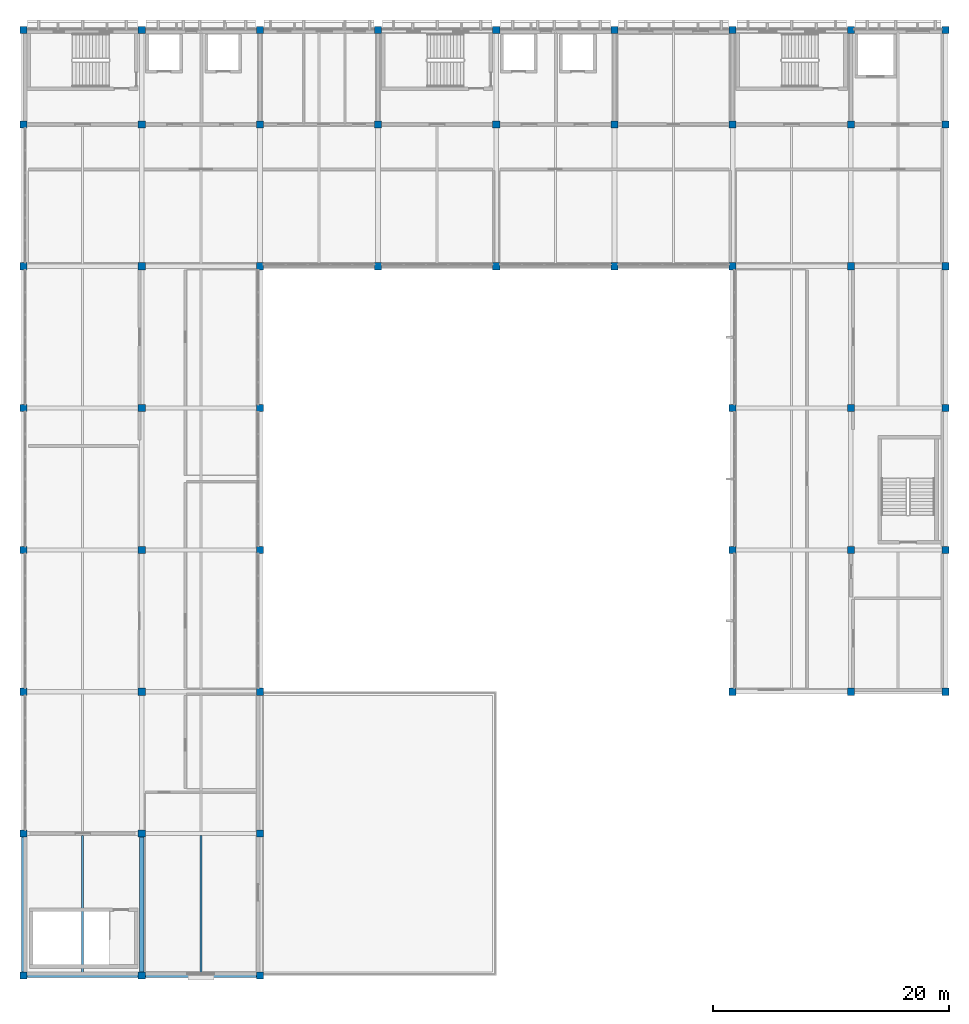
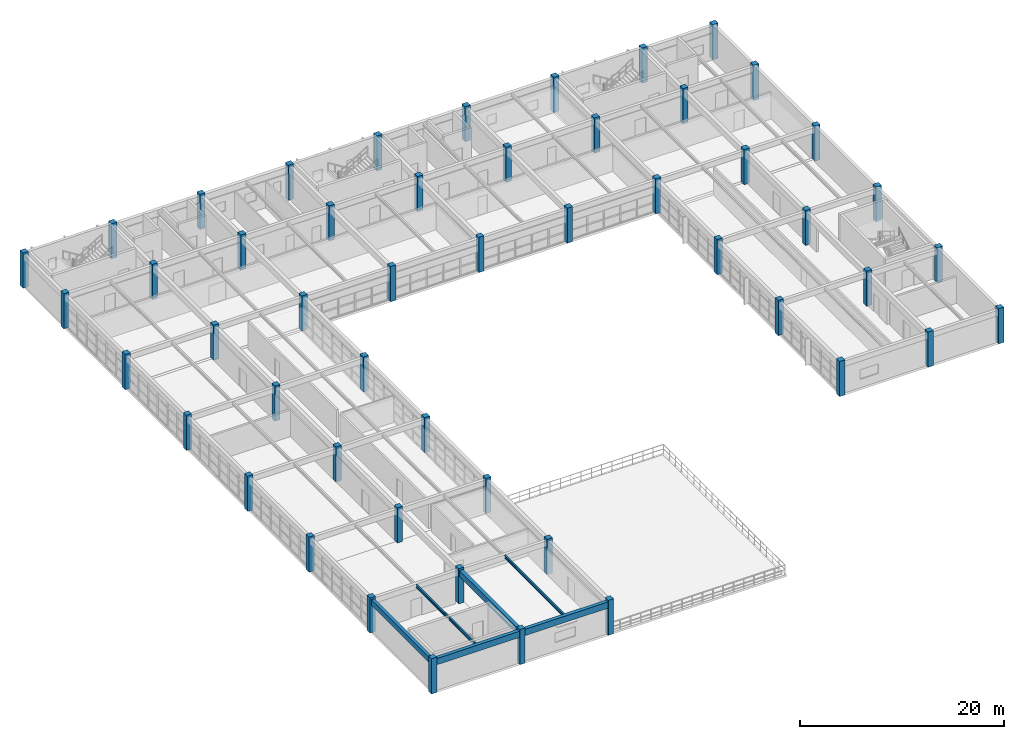
# One storey, part 1 of 28: 51 columns, 6 beams.
"""IFC4 building model written with IfcOpenShell, lengths in metres."""

from ifc_helpers import new_model, si_unit, direction, frame, origin, origin_2d, place, context, subcontext, project, spatial, rectangle, i_section, extrude, material, material_profile, profile_set, type_object, element, save


model = new_model("IFC4")

# Units and contexts
model_context = context("Model", 3, precision=1e-05, world=origin(), true_north=direction((0.0, 1.0)))
body_context = subcontext(model_context, "Body", "Model", "MODEL_VIEW")
ifc_project = project(units=[si_unit("LENGTHUNIT", "METRE"), si_unit("AREAUNIT", "SQUARE_METRE"), si_unit("VOLUMEUNIT", "CUBIC_METRE"), si_unit("PLANEANGLEUNIT", "RADIAN"), si_unit("MASSUNIT", "GRAM", prefix="KILO")], contexts=[model_context])

# Site, building, storey
site_placement = place(None, origin())
site = spatial("IfcSite", under=ifc_project, at=site_placement, CompositionType="ELEMENT")
building_placement = place(site_placement, origin())
building = spatial("IfcBuilding", under=site, at=building_placement, Name="Kivolera Central Railway Station", CompositionType="ELEMENT")
storey_placement = place(building_placement, frame((0.0, 0.0, 18.60009765625)))
storey = spatial("IfcBuildingStorey", under=building, at=storey_placement, Name="L04", CompositionType="ELEMENT", Elevation=18.60009765625)

# Columns
ifc_material_1 = material(Name="Concrete C40/50", Category="concrete")
ifc_material_profile_1 = material_profile(ifc_material_1, rectangle(XDim=0.60009765625, YDim=0.60009765625, at=origin_2d()), Name="RC 600x600")
ifc_profile_set_1 = profile_set([ifc_material_profile_1], Name="Concrete C40/50")
column_type = type_object("IfcColumnType", Name="COL-RC-600", PredefinedType="COLUMN", material=ifc_profile_set_1)
for number, where, z_axis, x_axis, name in (
    (1, (118.0, 54.0, 0.0), (0.0, 0.0, 1.0), (1.0, 0.0, 0.0), "L04 Wing Column 12-E"),
    (2, (118.0, 66.0, 0.0), (0.0, 0.0, 1.0), (1.0, 0.0, 0.0), "L04 Wing Column 12-F"),
    (3, (118.0, 78.0, 0.0), (0.0, 0.0, 1.0), (1.0, 0.0, 0.0), "L04 Wing Column 12-G"),
    (4, (118.0, 90.0, 0.0), (0.0, 0.0, 1.0), (1.0, 0.0, 0.0), "L04 Wing Column 12-H"),
    (5, (118.0, 102.0, 0.0), (0.0, 0.0, 1.0), (1.0, 0.0, 0.0), "L04 Wing Column 12-J"),
    (6, (118.0, 114.0, 0.0), (0.0, 0.0, 1.0), (1.0, 0.0, 0.0), "L04 Wing Column 12-K"),
    (7, (118.0, 126.0, 0.0), (0.0, 0.0, 1.0), (1.0, 0.0, 0.0), "L04 Wing Column 12-L"),
    (8, (118.0, 134.0, 0.0), (0.0, 0.0, 1.0), (1.0, 0.0, 0.0), "L04 Wing Column 12-M"),
    (9, (128.0, 54.0, 0.0), (0.0, 0.0, 1.0), (1.0, 0.0, 0.0), "L04 Wing Column 13-E"),
    (10, (128.0, 66.0, 0.0), (0.0, 0.0, 1.0), (1.0, 0.0, 0.0), "L04 Wing Column 13-F"),
    (11, (128.0, 78.0, 0.0), (0.0, 0.0, 1.0), (1.0, 0.0, 0.0), "L04 Wing Column 13-G"),
    (12, (128.0, 90.0, 0.0), (0.0, 0.0, 1.0), (1.0, 0.0, 0.0), "L04 Wing Column 13-H"),
    (13, (128.0, 102.0, 0.0), (0.0, 0.0, 1.0), (1.0, 0.0, 0.0), "L04 Wing Column 13-J"),
    (14, (128.0, 114.0, 0.0), (0.0, 0.0, 1.0), (1.0, 0.0, 0.0), "L04 Wing Column 13-K"),
    (15, (128.0, 126.0, 0.0), (0.0, 0.0, 1.0), (1.0, 0.0, 0.0), "L04 Wing Column 13-L"),
    (16, (128.0, 134.0, 0.0), (0.0, 0.0, 1.0), (1.0, 0.0, 0.0), "L04 Wing Column 13-M"),
    (17, (138.0, 54.0, 0.0), (0.0, 0.0, 1.0), (1.0, 0.0, 0.0), "L04 Wing Column 14-E"),
    (18, (138.0, 66.0, 0.0), (0.0, 0.0, 1.0), (1.0, 0.0, 0.0), "L04 Wing Column 14-F"),
    (19, (138.0, 78.0, 0.0), (0.0, 0.0, 1.0), (1.0, 0.0, 0.0), "L04 Wing Column 14-G"),
    (20, (138.0, 90.0, 0.0), (0.0, 0.0, 1.0), (1.0, 0.0, 0.0), "L04 Wing Column 14-H"),
    (21, (138.0, 102.0, 0.0), (0.0, 0.0, 1.0), (1.0, 0.0, 0.0), "L04 Wing Column 14-J"),
    (22, (138.0, 114.0, 0.0), (0.0, 0.0, 1.0), (1.0, 0.0, 0.0), "L04 Wing Column 14-K"),
    (23, (138.0, 126.0, 0.0), (0.0, 0.0, 1.0), (1.0, 0.0, 0.0), "L04 Wing Column 14-L"),
    (24, (138.0, 134.0, 0.0), (0.0, 0.0, 1.0), (1.0, 0.0, 0.0), "L04 Wing Column 14-M"),
    (25, (148.0, 114.0, 0.0), (0.0, 0.0, 1.0), (1.0, 0.0, 0.0), "L04 Wing Column 15-K"),
    (26, (148.0, 126.0, 0.0), (0.0, 0.0, 1.0), (1.0, 0.0, 0.0), "L04 Wing Column 15-L"),
    (27, (148.0, 134.0, 0.0), (0.0, 0.0, 1.0), (1.0, 0.0, 0.0), "L04 Wing Column 15-M"),
    (28, (158.0, 114.0, 0.0), (0.0, 0.0, 1.0), (1.0, 0.0, 0.0), "L04 Wing Column 16-K"),
    (29, (158.0, 126.0, 0.0), (0.0, 0.0, 1.0), (1.0, 0.0, 0.0), "L04 Wing Column 16-L"),
    (30, (158.0, 134.0, 0.0), (0.0, 0.0, 1.0), (1.0, 0.0, 0.0), "L04 Wing Column 16-M"),
    (31, (168.0, 114.0, 0.0), (0.0, 0.0, 1.0), (1.0, 0.0, 0.0), "L04 Wing Column 17-K"),
    (32, (168.0, 126.0, 0.0), (0.0, 0.0, 1.0), (1.0, 0.0, 0.0), "L04 Wing Column 17-L"),
    (33, (168.0, 134.0, 0.0), (0.0, 0.0, 1.0), (1.0, 0.0, 0.0), "L04 Wing Column 17-M"),
    (34, (178.0, 78.0, 0.0), (0.0, 0.0, 1.0), (1.0, 0.0, 0.0), "L04 Wing Column 18-G"),
    (35, (178.0, 90.0, 0.0), (0.0, 0.0, 1.0), (1.0, 0.0, 0.0), "L04 Wing Column 18-H"),
    (36, (178.0, 102.0, 0.0), (0.0, 0.0, 1.0), (1.0, 0.0, 0.0), "L04 Wing Column 18-J"),
    (37, (178.0, 114.0, 0.0), (0.0, 0.0, 1.0), (1.0, 0.0, 0.0), "L04 Wing Column 18-K"),
    (38, (178.0, 126.0, 0.0), (0.0, 0.0, 1.0), (1.0, 0.0, 0.0), "L04 Wing Column 18-L"),
    (39, (178.0, 134.0, 0.0), (0.0, 0.0, 1.0), (1.0, 0.0, 0.0), "L04 Wing Column 18-M"),
    (40, (188.0, 78.0, 0.0), (0.0, 0.0, 1.0), (1.0, 0.0, 0.0), "L04 Wing Column 19-G"),
    (41, (188.0, 90.0, 0.0), (0.0, 0.0, 1.0), (1.0, 0.0, 0.0), "L04 Wing Column 19-H"),
    (42, (188.0, 102.0, 0.0), (0.0, 0.0, 1.0), (1.0, 0.0, 0.0), "L04 Wing Column 19-J"),
    (43, (188.0, 114.0, 0.0), (0.0, 0.0, 1.0), (1.0, 0.0, 0.0), "L04 Wing Column 19-K"),
    (44, (188.0, 126.0, 0.0), (0.0, 0.0, 1.0), (1.0, 0.0, 0.0), "L04 Wing Column 19-L"),
    (45, (188.0, 134.0, 0.0), (0.0, 0.0, 1.0), (1.0, 0.0, 0.0), "L04 Wing Column 19-M"),
    (46, (196.0, 78.0, 0.0), (0.0, 0.0, 1.0), (1.0, 0.0, 0.0), "L04 Wing Column 20-G"),
    (47, (196.0, 90.0, 0.0), (0.0, 0.0, 1.0), (1.0, 0.0, 0.0), "L04 Wing Column 20-H"),
    (48, (196.0, 102.0, 0.0), (0.0, 0.0, 1.0), (1.0, 0.0, 0.0), "L04 Wing Column 20-J"),
    (49, (196.0, 114.0, 0.0), (0.0, 0.0, 1.0), (1.0, 0.0, 0.0), "L04 Wing Column 20-K"),
    (50, (196.0, 126.0, 0.0), (0.0, 0.0, 1.0), (1.0, 0.0, 0.0), "L04 Wing Column 20-L"),
    (51, (196.0, 134.0, 0.0), (0.0, 0.0, 1.0), (1.0, 0.0, 0.0), "L04 Wing Column 20-M"),
):
    element("IfcColumn", number, at=place(storey_placement, frame(where, z_axis=z_axis, x_axis=x_axis)), inside=storey, type_object=column_type, Name=name, PredefinedType="COLUMN", context=body_context, shape_type="SweptSolid", body=[
        extrude(rectangle(XDim=0.60009765625, YDim=0.60009765625, at=origin_2d()), origin(), (0.0, 0.0, 1.0), 4.199951171875),
    ])

# Beams
ifc_material_2 = material(Name="Steel S355", Category="steel")
ifc_material_profile_2 = material_profile(ifc_material_2, i_section(OverallWidth=0.169921875, OverallDepth=0.360107421875, WebThickness=0.008056640625, FlangeThickness=0.0126953125, FilletRadius=0.01806640625, at=origin_2d()), Name="IPE 360")
ifc_profile_set_2 = profile_set([ifc_material_profile_2], Name="Steel S355")
beam_type_1 = type_object("IfcBeamType", Name="BM-JST-IPE360", PredefinedType="JOIST", material=ifc_profile_set_2)
for number, where, z_axis, x_axis, name in (
    (52, (123.0, 54.19189453125, 3.7578125), (0.0, 1.0, 0.0), (-1.0, 0.0, 0.0), "L04 Floor Joist 12-13/E-F"),
    (53, (133.0, 54.19189453125, 3.7578125), (0.0, 1.0, 0.0), (-1.0, 0.0, 0.0), "L04 Floor Joist 13-14/E-F"),
):
    element("IfcBeam", number, at=place(storey_placement, frame(where, z_axis=z_axis, x_axis=x_axis)), inside=storey, type_object=beam_type_1, Name=name, PredefinedType="JOIST", context=body_context, shape_type="SweptSolid", body=[
        extrude(i_section(OverallWidth=0.169921875, OverallDepth=0.360107421875, WebThickness=0.008056640625, FlangeThickness=0.0126953125, FilletRadius=0.01806640625, at=origin_2d()), origin(), (0.0, 0.0, 1.0), 11.64111328125),
    ])
ifc_material_profile_3 = material_profile(ifc_material_1, rectangle(XDim=0.39990234375, YDim=0.75, at=origin_2d()), Name="RC 400x750")
ifc_profile_set_3 = profile_set([ifc_material_profile_3], Name="Concrete C40/50")
beam_type_2 = type_object("IfcBeamType", Name="BM-RC-400x750", PredefinedType="BEAM", material=ifc_profile_set_3)
beam_1_placement = place(storey_placement, frame((128.0, 54.2919921875, 3.574951171875), z_axis=(0.0, 1.0, 0.0), x_axis=(-1.0, 0.0, 0.0)))
element("IfcBeam", 54, at=beam_1_placement, inside=storey, type_object=beam_type_2, Name="L04 Wing Y-Beam 13:E-F", PredefinedType="BEAM", context=body_context, shape_type="SweptSolid", body=[
    extrude(rectangle(XDim=0.39990234375, YDim=0.75, at=origin_2d()), origin(), (0.0, 0.0, 1.0), 11.416015625),
])
ifc_material_profile_4 = material_profile(ifc_material_1, rectangle(XDim=0.35009765625, YDim=0.64990234375, at=origin_2d()), Name="RC 350x650")
ifc_profile_set_4 = profile_set([ifc_material_profile_4], Name="Concrete C40/50")
beam_type_3 = type_object("IfcBeamType", Name="BM-SPN-RC650", PredefinedType="SPANDREL", material=ifc_profile_set_4)
beam_2_placement = place(storey_placement, frame((118.0, 54.2919921875, 3.625), z_axis=(0.0, 1.0, 0.0), x_axis=(-1.0, 0.0, 0.0)))
element("IfcBeam", 55, at=beam_2_placement, inside=storey, type_object=beam_type_3, Name="L04 Wing Y-Beam 12:E-F", PredefinedType="SPANDREL", context=body_context, shape_type="SweptSolid", body=[
    extrude(rectangle(XDim=0.35009765625, YDim=0.64990234375, at=origin_2d()), origin(), (0.0, 0.0, 1.0), 11.416015625),
])
ifc_material_profile_5 = material_profile(ifc_material_1, rectangle(XDim=0.39990234375, YDim=0.75, at=origin_2d()), Name="RC 400x750")
ifc_profile_set_5 = profile_set([ifc_material_profile_5], Name="Concrete C40/50")
beam_type_4 = type_object("IfcBeamType", Name="BM-SPN-RC750", PredefinedType="SPANDREL", material=ifc_profile_set_5)
for number, where, z_axis, x_axis, name in (
    (56, (118.2919921875, 54.0, 3.574951171875), (1.0, 0.0, 0.0), (0.0, 1.0, 0.0), "L04 Wing X-Beam E:12-13"),
    (57, (128.2919921875, 54.0, 3.574951171875), (1.0, 0.0, 0.0), (0.0, 1.0, 0.0), "L04 Wing X-Beam E:13-14"),
):
    element("IfcBeam", number, at=place(storey_placement, frame(where, z_axis=z_axis, x_axis=x_axis)), inside=storey, type_object=beam_type_4, Name=name, PredefinedType="SPANDREL", context=body_context, shape_type="SweptSolid", body=[
        extrude(rectangle(XDim=0.39990234375, YDim=0.75, at=origin_2d()), origin(), (0.0, 0.0, 1.0), 9.416015625),
    ])

save(model, "model.ifc")
